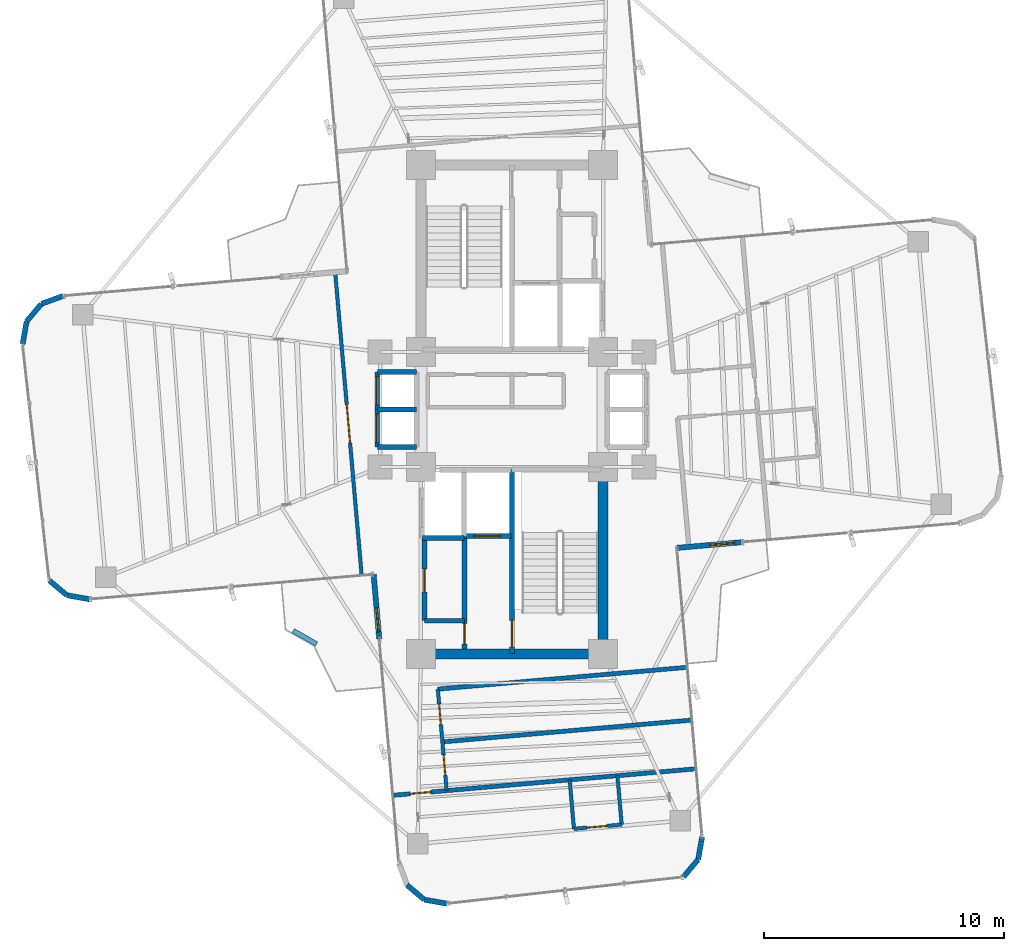
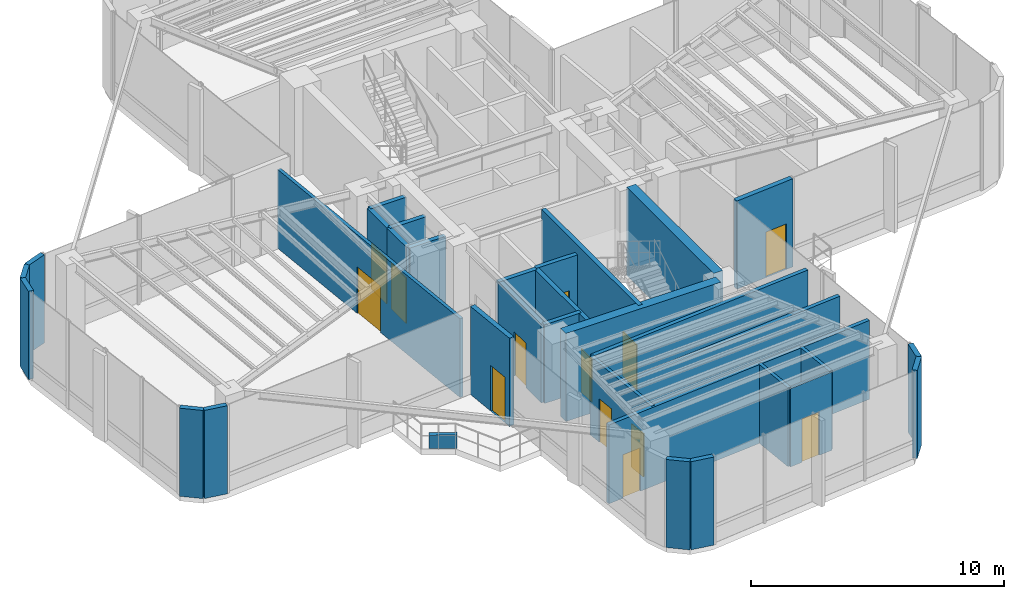
# One storey, part 16 of 19: 33 walls, 13 doors, 13 openings.
"""IFC4 building model written with IfcOpenShell, lengths in metres."""

from ifc_helpers import new_model, si_unit, direction, frame, frame_2d, origin, origin_2d, place, context, subcontext, project, spatial, rectangle, extrude, source, transform, mapped, material, layer, layer_set, type_object, element, fill, save


model = new_model("IFC4")

# Units and contexts
model_context = context("Model", 3, precision=1e-05, world=origin(), true_north=direction((0.0, 1.0)))
body_context = subcontext(model_context, "Body", "Model", "MODEL_VIEW")
ifc_project = project(units=[si_unit("LENGTHUNIT", "METRE"), si_unit("AREAUNIT", "SQUARE_METRE"), si_unit("VOLUMEUNIT", "CUBIC_METRE"), si_unit("PLANEANGLEUNIT", "RADIAN"), si_unit("MASSUNIT", "GRAM", prefix="KILO")], contexts=[model_context])

# Site, building, storey
site_placement = place(None, origin())
site = spatial("IfcSite", under=ifc_project, at=site_placement, CompositionType="ELEMENT")
building_placement = place(site_placement, origin())
building = spatial("IfcBuilding", under=site, at=building_placement, Name="Sahyath Konkavel Grand Hotel", CompositionType="ELEMENT")
storey_placement = place(building_placement, frame((0.0, 0.0, 170.699951171875)))
storey = spatial("IfcBuildingStorey", under=building, at=storey_placement, Name="L47", CompositionType="ELEMENT", Elevation=170.699951171875)

# Walls
ifc_material_1 = material(Name="Concrete C50/60", Category="concrete")
ifc_layer_1 = layer(ifc_material_1, 0.419921875)
ifc_layer_set_1 = layer_set([ifc_layer_1], Name="Concrete C50/60")
wall_type_1 = type_object("IfcWallType", Name="CWALL-420", PredefinedType="SHEAR", material=ifc_layer_set_1)
wall_1_placement = place(storey_placement, frame((-3.550048828125, -10.199951171875, 0.0), z_axis=(0.0, 0.0, 1.0), x_axis=(1.0, 0.0, 0.0)))
element("IfcWall", 1, at=wall_1_placement, inside=storey, type_object=wall_type_1, Name="L47 South Core Shear Wall S", PredefinedType="SHEAR", context=body_context, shape_type="SweptSolid", body=[
    extrude(rectangle(XDim=7.10009765625, YDim=0.419921875, at=frame_2d((3.550048828125, 0.0))), origin(), (0.0, 0.0, 1.0), 4.260009765625),
])
wall_2_placement = place(storey_placement, frame((3.800048828125, -9.75, 0.0), z_axis=(0.0, 0.0, 1.0), x_axis=(0.0, 1.0, 0.0)))
element("IfcWall", 2, at=wall_2_placement, inside=storey, type_object=wall_type_1, Name="L47 South Core Shear Wall E", PredefinedType="SHEAR", context=body_context, shape_type="SweptSolid", body=[
    extrude(rectangle(XDim=6.89990234375, YDim=0.419921875, at=frame_2d((3.449951171875, 0.0))), origin(), (0.0, 0.0, 1.0), 4.260009765625),
])

# Wall, opening, door
ifc_material_2 = material(Name="Warm Buff Sandstone Insulated Concrete C40/50", Category="masonry")
ifc_layer_2 = layer(ifc_material_2, 0.219970703125)
ifc_layer_set_2 = layer_set([ifc_layer_2], Name="Warm Buff Sandstone Insulated Concrete C40/50")
wall_type_2 = type_object("IfcWallType", Name="WLL-BALC-THRESH", PredefinedType="STANDARD", material=ifc_layer_set_2)
wall_3_placement = place(storey_placement, frame((6.87939453125, -5.7724609375, 0.0), z_axis=(0.0, 0.0, 1.0), x_axis=(0.996193619346, 0.087168071984, 0.0)))
wall_3 = element("IfcWall", 3, at=wall_3_placement, inside=storey, type_object=wall_type_2, Name="L47 Winter-Garden Threshold Wall 0", PredefinedType="STANDARD", context=body_context, shape_type="SweptSolid", body=[
    extrude(rectangle(XDim=2.699951171875, YDim=0.219970703125, at=frame_2d((1.35009765625, 0.0))), origin(), (0.0, 0.0, 1.0), 4.260009765625),
])
opening_1_placement = place(wall_3_placement, frame((1.39990234375, 0.0, 0.0)))
opening_1 = element("IfcOpeningElement", 4, at=opening_1_placement, cuts=wall_3, Name="Opening D-TR1", PredefinedType="OPENING", context=body_context, shape_type="SweptSolid", body=[
    extrude(rectangle(XDim=1.0, YDim=2.199951171875, at=frame_2d((0.5, 1.10009765625))), frame((0.0, 0.1201171875, 0.0), z_axis=(0.0, -1.0, 0.0), x_axis=(1.0, 0.0, 0.0)), (0.0, 0.0, 1.0), 0.239990234375),
])
ifc_material_3 = material(Name="Anodised Bronze Aluminium & Low-E Glazing", Category="aluminium")
door_type_1 = type_object("IfcDoorType", Name="DR-TERRACE-1000", OperationType="NOTDEFINED", PredefinedType="DOOR", material=ifc_material_3)
shared_shape_1 = source(origin(), body_context, "Body", "SweptSolid", [
    extrude(rectangle(XDim=1.0, YDim=0.050048828125, at=origin_2d()), origin(), (0.0, 0.0, 1.0), 2.199951171875),
])
door_1_placement = place(opening_1_placement, frame((0.5, 0.0, 0.0)))
door_1 = element("IfcDoor", 5, at=door_1_placement, inside=storey, type_object=door_type_1, Name="L47 Winter-Garden Terrace Door 0", OperationType="SINGLE_SWING_LEFT", OverallHeight=2.199951171875, OverallWidth=1.0, PredefinedType="DOOR", context=body_context, shape_type="MappedRepresentation", body=[
    mapped(shared_shape_1, transform((0.0, 0.0, 0.0), scale=1.0)),
])
fill(opening_1, door_1)

# Walls
wall_4_placement = place(storey_placement, frame((-18.73388671875, 4.735107421875, 0.0), z_axis=(0.0, 0.0, 1.0), x_axis=(-0.939741306239, -0.34188635151, 0.0)))
element("IfcWall", 6, at=wall_4_placement, inside=storey, type_object=wall_type_2, Name="L47 Rounded Corner Sandstone Pier 17", PredefinedType="STANDARD", context=body_context, shape_type="SweptSolid", body=[
    extrude(rectangle(XDim=0.95751953125, YDim=0.219970703125, at=frame_2d((0.478759765625, 0.0))), origin(), (0.0, 0.0, 1.0), 4.260009765625),
])
for number, where, z_axis, x_axis, name in (
    (7, (-19.6337890625, 4.40771484375, 0.0), (0.0, 0.0, 1.0), (-0.642863236823, -0.765980978054, 0.0), "L47 Rounded Corner Sandstone Pier 18"),
    (8, (-20.24951171875, 3.674072265625, 0.0), (0.0, 0.0, 1.0), (-0.173610811841, -0.984814340885, 0.0), "L47 Rounded Corner Sandstone Pier 19"),
):
    element("IfcWall", number, at=place(storey_placement, frame(where, z_axis=z_axis, x_axis=x_axis)), inside=storey, type_object=wall_type_2, Name=name, PredefinedType="STANDARD", context=body_context, shape_type="SweptSolid", body=[
        extrude(rectangle(XDim=0.957763671875, YDim=0.219970703125, at=frame_2d((0.47900390625, 0.0))), origin(), (0.0, 0.0, 1.0), 4.260009765625),
    ])
wall_5_placement = place(storey_placement, frame((-19.3037109375, -7.134521484375, 0.0), z_axis=(0.0, 0.0, 1.0), x_axis=(0.766001159887, -0.642839189107, 0.0)))
element("IfcWall", 9, at=wall_5_placement, inside=storey, type_object=wall_type_2, Name="L47 Rounded Corner Sandstone Pier 21", PredefinedType="STANDARD", context=body_context, shape_type="SweptSolid", body=[
    extrude(rectangle(XDim=0.95751953125, YDim=0.219970703125, at=frame_2d((0.478759765625, 0.0))), origin(), (0.0, 0.0, 1.0), 4.260009765625),
])
wall_6_placement = place(storey_placement, frame((-18.5703125, -7.75, 0.0), z_axis=(0.0, 0.0, 1.0), x_axis=(0.984770724397, -0.173858046606, 0.0)))
element("IfcWall", 10, at=wall_6_placement, inside=storey, type_object=wall_type_2, Name="L47 Rounded Corner Sandstone Pier 22", PredefinedType="STANDARD", context=body_context, shape_type="SweptSolid", body=[
    extrude(rectangle(XDim=0.957763671875, YDim=0.219970703125, at=frame_2d((0.47900390625, 0.0))), origin(), (0.0, 0.0, 1.0), 4.260009765625),
])

# Wall, opening, door
wall_7_placement = place(storey_placement, frame((-5.7724609375, -6.87939453125, 0.0), z_axis=(0.0, 0.0, 1.0), x_axis=(0.087168071984, -0.996193619346, 0.0)))
wall_7 = element("IfcWall", 11, at=wall_7_placement, inside=storey, type_object=wall_type_2, Name="L47 Winter-Garden Threshold Wall 24", PredefinedType="STANDARD", context=body_context, shape_type="SweptSolid", body=[
    extrude(rectangle(XDim=2.699951171875, YDim=0.219970703125, at=frame_2d((1.35009765625, 0.0))), origin(), (0.0, 0.0, 1.0), 4.260009765625),
])
opening_2_placement = place(wall_7_placement, frame((1.39990234375, 0.0, 0.0)))
opening_2 = element("IfcOpeningElement", 12, at=opening_2_placement, cuts=wall_7, Name="Opening D-TR1", PredefinedType="OPENING", context=body_context, shape_type="SweptSolid", body=[
    extrude(rectangle(XDim=1.0, YDim=2.199951171875, at=frame_2d((0.5, 1.10009765625))), frame((0.0, 0.1201171875, 0.0), z_axis=(0.0, -1.0, 0.0), x_axis=(1.0, 0.0, 0.0)), (0.0, 0.0, 1.0), 0.239990234375),
])
door_2_placement = place(opening_2_placement, frame((0.5, 0.0, 0.0)))
door_2 = element("IfcDoor", 13, at=door_2_placement, inside=storey, type_object=door_type_1, Name="L47 Winter-Garden Terrace Door 24", OperationType="SINGLE_SWING_LEFT", OverallHeight=2.199951171875, OverallWidth=1.0, PredefinedType="DOOR", context=body_context, shape_type="MappedRepresentation", body=[
    mapped(shared_shape_1, transform((0.0, 0.0, 0.0), scale=1.0)),
])
fill(opening_2, door_2)

# Walls
for number, where, z_axis, x_axis, name in (
    (14, (-4.390380859375, -19.8330078125, 0.0), (0.0, 0.0, 1.0), (0.765980978054, -0.642863236823, 0.0), "L47 Rounded Corner Sandstone Pier 26"),
    (15, (-3.65673828125, -20.44873046875, 0.0), (0.0, 0.0, 1.0), (0.984814340885, -0.173610811841, 0.0), "L47 Rounded Corner Sandstone Pier 27"),
):
    element("IfcWall", number, at=place(storey_placement, frame(where, z_axis=z_axis, x_axis=x_axis)), inside=storey, type_object=wall_type_2, Name=name, PredefinedType="STANDARD", context=body_context, shape_type="SweptSolid", body=[
        extrude(rectangle(XDim=0.957763671875, YDim=0.219970703125, at=frame_2d((0.47900390625, 0.0))), origin(), (0.0, 0.0, 1.0), 4.260009765625),
    ])
for number, where, z_axis, x_axis, name in (
    (16, (7.152099609375, -19.5029296875, 0.0), (0.0, 0.0, 1.0), (0.642713642115, 0.766106503196, 0.0), "L47 Rounded Corner Sandstone Pier 29"),
    (17, (7.767578125, -18.769287109375, 0.0), (0.0, 0.0, 1.0), (0.173654409999, 0.984806654064, 0.0), "L47 Rounded Corner Sandstone Pier 30"),
):
    element("IfcWall", number, at=place(storey_placement, frame(where, z_axis=z_axis, x_axis=x_axis)), inside=storey, type_object=wall_type_2, Name=name, PredefinedType="STANDARD", context=body_context, shape_type="SweptSolid", body=[
        extrude(rectangle(XDim=0.95751953125, YDim=0.219970703125, at=frame_2d((0.478759765625, 0.0))), origin(), (0.0, 0.0, 1.0), 4.260009765625),
    ])

# Wall, opening, door
ifc_material_4 = material(Name="Concrete C40/50", Category="concrete")
ifc_layer_3 = layer(ifc_material_4, 0.199951171875)
ifc_layer_set_3 = layer_set([ifc_layer_3], Name="Concrete C40/50")
wall_type_3 = type_object("IfcWallType", Name="WLL-CORE-200", PredefinedType="SOLIDWALL", material=ifc_layer_set_3)
wall_8_placement = place(storey_placement, frame((0.0, -10.179931640625, 0.0), z_axis=(0.0, 0.0, 1.0), x_axis=(0.0, 1.0, 0.0)))
wall_8 = element("IfcWall", 18, at=wall_8_placement, inside=storey, type_object=wall_type_3, Name="L47 Stair ST-2 Shaft Wall W", PredefinedType="SOLIDWALL", context=body_context, shape_type="SweptSolid", body=[
    extrude(rectangle(XDim=7.679931640625, YDim=0.199951171875, at=frame_2d((3.83984375, 0.0))), origin(), (0.0, 0.0, 1.0), 4.260009765625),
])
opening_3_placement = place(wall_8_placement, frame((0.280029296875, 0.0, 0.0)))
opening_3 = element("IfcOpeningElement", 19, at=opening_3_placement, cuts=wall_8, Name="Opening D-F12B", PredefinedType="OPENING", context=body_context, shape_type="SweptSolid", body=[
    extrude(rectangle(XDim=1.10009765625, YDim=2.14990234375, at=frame_2d((0.550048828125, 1.074951171875))), frame((0.0, 0.10986328125, 0.0), z_axis=(0.0, -1.0, 0.0), x_axis=(1.0, 0.0, 0.0)), (0.0, 0.0, 1.0), 0.219970703125),
])
ifc_material_5 = material(Name="Steel E350 Smokeproof Fire Door", Category="steel")
door_type_2 = type_object("IfcDoorType", Name="DR-FD120-1100", OperationType="NOTDEFINED", PredefinedType="DOOR", material=ifc_material_5)
shared_shape_2 = source(origin(), body_context, "Body", "SweptSolid", [
    extrude(rectangle(XDim=1.10009765625, YDim=0.050048828125, at=origin_2d()), origin(), (0.0, 0.0, 1.0), 2.14990234375),
])
door_3_placement = place(opening_3_placement, frame((0.550048828125, 0.0, 0.0)))
door_3 = element("IfcDoor", 20, at=door_3_placement, inside=storey, type_object=door_type_2, Name="L47 Stair ST-2 Fire Door", OperationType="SINGLE_SWING_RIGHT", OverallHeight=2.14990234375, OverallWidth=1.10009765625, PredefinedType="DOOR", context=body_context, shape_type="MappedRepresentation", body=[
    mapped(shared_shape_2, transform((0.0, 0.0, 0.0), scale=1.0)),
])
fill(opening_3, door_3)

wall_9_placement = place(storey_placement, frame((-1.97998046875, -9.97998046875, 0.0), z_axis=(0.0, 0.0, 1.0), x_axis=(0.0, 1.0, 0.0)))
wall_9 = element("IfcWall", 21, at=wall_9_placement, inside=storey, type_object=wall_type_3, Name="L47 South Firefighting Lobby Wall W", PredefinedType="SOLIDWALL", context=body_context, shape_type="SweptSolid", body=[
    extrude(rectangle(XDim=4.659912109375, YDim=0.199951171875, at=frame_2d((2.330078125, 0.0))), origin(), (0.0, 0.0, 1.0), 3.81005859375),
])
opening_4_placement = place(wall_9_placement, frame((0.199951171875, 0.0, 0.0)))
opening_4 = element("IfcOpeningElement", 22, at=opening_4_placement, cuts=wall_9, Name="Opening D-F12D", PredefinedType="OPENING", context=body_context, shape_type="SweptSolid", body=[
    extrude(rectangle(XDim=0.85009765625, YDim=2.10009765625, at=frame_2d((0.425048828125, 1.050048828125))), frame((0.0, 0.10986328125, 0.0), z_axis=(0.0, -1.0, 0.0), x_axis=(1.0, 0.0, 0.0)), (0.0, 0.0, 1.0), 0.219970703125),
])
ifc_material_6 = material(Name="Steel E350 Core Fire Door", Category="steel")
door_type_3 = type_object("IfcDoorType", Name="DR-FD120-850", OperationType="NOTDEFINED", PredefinedType="DOOR", material=ifc_material_6)
shared_shape_3 = source(origin(), body_context, "Body", "SweptSolid", [
    extrude(rectangle(XDim=0.85009765625, YDim=0.050048828125, at=origin_2d()), origin(), (0.0, 0.0, 1.0), 2.10009765625),
])
door_4_placement = place(opening_4_placement, frame((0.425048828125, 0.0, 0.0)))
door_4 = element("IfcDoor", 23, at=door_4_placement, inside=storey, type_object=door_type_3, Name="L47 South Firefighting Lobby Door", OperationType="SINGLE_SWING_RIGHT", OverallHeight=2.10009765625, OverallWidth=0.85009765625, PredefinedType="DOOR", context=body_context, shape_type="MappedRepresentation", body=[
    mapped(shared_shape_3, transform((0.0, 0.0, 0.0), scale=1.0)),
])
fill(opening_4, door_4)

wall_10_placement = place(storey_placement, frame((-1.97998046875, -5.280029296875, 0.0), z_axis=(0.0, 0.0, 1.0), x_axis=(1.0, 0.0, 0.0)))
wall_10 = element("IfcWall", 24, at=wall_10_placement, inside=storey, type_object=wall_type_3, Name="L47 Partition SH-FFL2-S", PredefinedType="SOLIDWALL", context=body_context, shape_type="SweptSolid", body=[
    extrude(rectangle(XDim=1.929931640625, YDim=0.199951171875, at=frame_2d((0.96484375, 0.0))), origin(), (0.0, 0.0, 1.0), 3.81005859375),
])
opening_5_placement = place(wall_10_placement, frame((0.39990234375, 0.0, 0.0)))
opening_5 = element("IfcOpeningElement", 25, at=opening_5_placement, cuts=wall_10, Name="Opening LD-11", PredefinedType="OPENING", context=body_context, shape_type="SweptSolid", body=[
    extrude(rectangle(XDim=1.10009765625, YDim=2.199951171875, at=frame_2d((0.550048828125, 1.10009765625))), frame((0.0, 0.10986328125, 0.0), z_axis=(0.0, -1.0, 0.0), x_axis=(1.0, 0.0, 0.0)), (0.0, 0.0, 1.0), 0.219970703125),
])
ifc_material_7 = material(Name="Bronze Lift Landing Door 1100")
door_type_4 = type_object("IfcDoorType", Name="DR-LIFT-1100", OperationType="DOUBLE_DOOR_SLIDING", PredefinedType="DOOR", material=ifc_material_7)
shared_shape_4 = source(origin(), body_context, "Body", "SweptSolid", [
    extrude(rectangle(XDim=1.10009765625, YDim=0.050048828125, at=origin_2d()), origin(), (0.0, 0.0, 1.0), 2.199951171875),
])
door_5_placement = place(opening_5_placement, frame((0.550048828125, 0.0, 0.0)))
door_5 = element("IfcDoor", 26, at=door_5_placement, inside=storey, type_object=door_type_4, Name="L47 Lift FFL-2 Landing Door", OperationType="DOUBLE_DOOR_SLIDING", OverallHeight=2.199951171875, OverallWidth=1.10009765625, PredefinedType="DOOR", context=body_context, shape_type="MappedRepresentation", body=[
    mapped(shared_shape_4, transform((0.0, 0.0, 0.0), scale=1.0)),
])
fill(opening_5, door_5)

# Walls
wall_11_placement = place(storey_placement, frame((-3.739990234375, -5.360107421875, 0.0), z_axis=(0.0, 0.0, 1.0), x_axis=(1.0, 0.0, 0.0)))
element("IfcWall", 27, at=wall_11_placement, inside=storey, type_object=wall_type_3, Name="L47 Partition SH-SVL2-S", PredefinedType="SOLIDWALL", context=body_context, shape_type="SweptSolid", body=[
    extrude(rectangle(XDim=1.739990234375, YDim=0.199951171875, at=frame_2d((0.8701171875, 0.0))), origin(), (0.0, 0.0, 1.0), 3.81005859375),
])
for number, where, z_axis, x_axis, name in (
    (28, (-5.6201171875, 1.56005859375, 0.0), (0.0, 0.0, 1.0), (1.0, 0.0, 0.0), "L47 Partition SH-SL12-N"),
    (29, (-5.6201171875, -1.56005859375, 0.0), (0.0, 0.0, 1.0), (1.0, 0.0, 0.0), "L47 Partition SH-SL12-S"),
    (30, (-5.6201171875, 0.0, 0.0), (0.0, 0.0, 1.0), (1.0, 0.0, 0.0), "L47 Partition SH-SL12-M"),
):
    element("IfcWall", number, at=place(storey_placement, frame(where, z_axis=z_axis, x_axis=x_axis)), inside=storey, type_object=wall_type_3, Name=name, PredefinedType="SOLIDWALL", context=body_context, shape_type="SweptSolid", body=[
        extrude(rectangle(XDim=1.64013671875, YDim=0.199951171875, at=frame_2d((0.820068359375, 0.0))), origin(), (0.0, 0.0, 1.0), 3.81005859375),
    ])

# Wall, opening, door
wall_12_placement = place(storey_placement, frame((-5.6201171875, 0.0, 0.0), z_axis=(0.0, 0.0, 1.0), x_axis=(0.0, 1.0, 0.0)))
wall_12 = element("IfcWall", 31, at=wall_12_placement, inside=storey, type_object=wall_type_3, Name="L47 Partition SH-SL1-W", PredefinedType="SOLIDWALL", context=body_context, shape_type="SweptSolid", body=[
    extrude(rectangle(XDim=1.56005859375, YDim=0.199951171875, at=frame_2d((0.780029296875, 0.0))), origin(), (0.0, 0.0, 1.0), 3.81005859375),
])
opening_6_placement = place(wall_12_placement, frame((0.179931640625, 0.0, 0.0)))
opening_6 = element("IfcOpeningElement", 32, at=opening_6_placement, cuts=wall_12, Name="Opening LD-12", PredefinedType="OPENING", context=body_context, shape_type="SweptSolid", body=[
    extrude(rectangle(XDim=1.199951171875, YDim=2.199951171875, at=frame_2d((0.60009765625, 1.10009765625))), frame((0.0, 0.10986328125, 0.0), z_axis=(0.0, -1.0, 0.0), x_axis=(1.0, 0.0, 0.0)), (0.0, 0.0, 1.0), 0.219970703125),
])
ifc_material_8 = material(Name="Stainless Steel Lift Landing Door 1200", Category="steel")
door_type_5 = type_object("IfcDoorType", Name="DR-LIFT-1200", OperationType="DOUBLE_DOOR_SLIDING", PredefinedType="DOOR", material=ifc_material_8)
shared_shape_5 = source(origin(), body_context, "Body", "SweptSolid", [
    extrude(rectangle(XDim=1.199951171875, YDim=0.050048828125, at=origin_2d()), origin(), (0.0, 0.0, 1.0), 2.199951171875),
])
door_6_placement = place(opening_6_placement, frame((0.60009765625, 0.0, 0.0)))
door_6 = element("IfcDoor", 33, at=door_6_placement, inside=storey, type_object=door_type_5, Name="L47 Express Shuttle SL-1 Landing Door", OperationType="DOUBLE_DOOR_SLIDING", OverallHeight=2.199951171875, OverallWidth=1.199951171875, PredefinedType="DOOR", context=body_context, shape_type="MappedRepresentation", body=[
    mapped(shared_shape_5, transform((0.0, 0.0, 0.0), scale=1.0)),
])
fill(opening_6, door_6)

wall_13_placement = place(storey_placement, frame((-5.6201171875, -1.56005859375, 0.0), z_axis=(0.0, 0.0, 1.0), x_axis=(0.0, 1.0, 0.0)))
wall_13 = element("IfcWall", 34, at=wall_13_placement, inside=storey, type_object=wall_type_3, Name="L47 Partition SH-SL2-W", PredefinedType="SOLIDWALL", context=body_context, shape_type="SweptSolid", body=[
    extrude(rectangle(XDim=1.56005859375, YDim=0.199951171875, at=frame_2d((0.780029296875, 0.0))), origin(), (0.0, 0.0, 1.0), 3.81005859375),
])
opening_7_placement = place(wall_13_placement, frame((0.179931640625, 0.0, 0.0)))
opening_7 = element("IfcOpeningElement", 35, at=opening_7_placement, cuts=wall_13, Name="Opening LD-12", PredefinedType="OPENING", context=body_context, shape_type="SweptSolid", body=[
    extrude(rectangle(XDim=1.199951171875, YDim=2.199951171875, at=frame_2d((0.60009765625, 1.10009765625))), frame((0.0, 0.10986328125, 0.0), z_axis=(0.0, -1.0, 0.0), x_axis=(1.0, 0.0, 0.0)), (0.0, 0.0, 1.0), 0.219970703125),
])
door_7_placement = place(opening_7_placement, frame((0.60009765625, 0.0, 0.0)))
door_7 = element("IfcDoor", 36, at=door_7_placement, inside=storey, type_object=door_type_5, Name="L47 Express Shuttle SL-2 Landing Door", OperationType="DOUBLE_DOOR_SLIDING", OverallHeight=2.199951171875, OverallWidth=1.199951171875, PredefinedType="DOOR", context=body_context, shape_type="MappedRepresentation", body=[
    mapped(shared_shape_5, transform((0.0, 0.0, 0.0), scale=1.0)),
])
fill(opening_7, door_7)

wall_14_placement = place(storey_placement, frame((-3.64990234375, -8.81005859375, 0.0), z_axis=(0.0, 0.0, 1.0), x_axis=(0.0, 1.0, 0.0)))
wall_14 = element("IfcWall", 37, at=wall_14_placement, inside=storey, type_object=wall_type_3, Name="L47 Reclaimed South Core Wall W", PredefinedType="SOLIDWALL", context=body_context, shape_type="SweptSolid", body=[
    extrude(rectangle(XDim=3.43017578125, YDim=0.199951171875, at=frame_2d((1.715087890625, 0.0))), origin(), (0.0, 0.0, 1.0), 3.81005859375),
])
opening_8_placement = place(wall_14_placement, frame((1.199951171875, 0.0, 0.0)))
opening_8 = element("IfcOpeningElement", 38, at=opening_8_placement, cuts=wall_14, Name="Opening D-AC95", PredefinedType="OPENING", context=body_context, shape_type="SweptSolid", body=[
    extrude(rectangle(XDim=0.949951171875, YDim=2.14990234375, at=frame_2d((0.47509765625, 1.074951171875))), frame((0.0, 0.10986328125, 0.0), z_axis=(0.0, -1.0, 0.0), x_axis=(1.0, 0.0, 0.0)), (0.0, 0.0, 1.0), 0.219970703125),
])
ifc_material_9 = material(Name="Accessible Washroom Timber Door", Category="wood")
door_type_6 = type_object("IfcDoorType", Name="DR-ACC-950", OperationType="NOTDEFINED", PredefinedType="DOOR", material=ifc_material_9)
shared_shape_6 = source(origin(), body_context, "Body", "SweptSolid", [
    extrude(rectangle(XDim=0.949951171875, YDim=0.050048828125, at=origin_2d()), origin(), (0.0, 0.0, 1.0), 2.14990234375),
])
door_8_placement = place(opening_8_placement, frame((0.47509765625, 0.0, 0.0)))
door_8 = element("IfcDoor", 39, at=door_8_placement, inside=storey, type_object=door_type_6, Name="L47 Door SC-REC1-D", OperationType="SINGLE_SWING_RIGHT", OverallHeight=2.14990234375, OverallWidth=0.949951171875, PredefinedType="DOOR", context=body_context, shape_type="MappedRepresentation", body=[
    mapped(shared_shape_6, transform((0.0, 0.0, 0.0), scale=1.0)),
])
fill(opening_8, door_8)

# Walls
wall_15_placement = place(storey_placement, frame((-3.64990234375, -8.81005859375, 0.0), z_axis=(0.0, 0.0, 1.0), x_axis=(1.0, 0.0, 0.0)))
element("IfcWall", 40, at=wall_15_placement, inside=storey, type_object=wall_type_3, Name="L47 Partition SC-REC-S", PredefinedType="SOLIDWALL", context=body_context, shape_type="SweptSolid", body=[
    extrude(rectangle(XDim=1.669921875, YDim=0.199951171875, at=frame_2d((0.8349609375, 0.0))), origin(), (0.0, 0.0, 1.0), 3.81005859375),
])
ifc_material_10 = material(Name="Twin-Stud Acoustic Gypsum Plasterboard Partition")
ifc_layer_4 = layer(ifc_material_10, 0.179931640625)
ifc_layer_set_4 = layer_set([ifc_layer_4], Name="Twin-Stud Acoustic Gypsum Plasterboard Partition")
wall_type_4 = type_object("IfcWallType", Name="WLL-DEMISE-180", PredefinedType="PARTITIONING", material=ifc_layer_set_4)
wall_16_placement = place(storey_placement, frame((-3.09521484375, -11.6640625, 0.0), z_axis=(0.0, 0.0, 1.0), x_axis=(0.996196061386, 0.087140158824, 0.0)))
element("IfcWall", 41, at=wall_16_placement, inside=storey, type_object=wall_type_4, Name="L47 Partition S-G6I", PredefinedType="PARTITIONING", context=body_context, shape_type="SweptSolid", body=[
    extrude(rectangle(XDim=10.39990234375, YDim=0.179931640625, at=frame_2d((5.199951171875, 0.0))), origin(), (0.0, 0.0, 1.0), 3.81005859375),
])
wall_17_placement = place(storey_placement, frame((-2.902587890625, -13.86572265625, 0.0), z_axis=(0.0, 0.0, 1.0), x_axis=(0.996194201607, 0.087161417409, 0.0)))
element("IfcWall", 42, at=wall_17_placement, inside=storey, type_object=wall_type_4, Name="L47 Partition S-SSL6-DEM", PredefinedType="PARTITIONING", context=body_context, shape_type="SweptSolid", body=[
    extrude(rectangle(XDim=10.400146484375, YDim=0.179931640625, at=frame_2d((5.2001953125, 0.0))), origin(), (0.0, 0.0, 1.0), 3.81005859375),
])

# Wall, opening, door
wall_18_placement = place(storey_placement, frame((-4.91650390625, -16.089599609375, 0.0), z_axis=(0.0, 0.0, 1.0), x_axis=(0.996196619285, 0.087133780622, 0.0)))
wall_18 = element("IfcWall", 43, at=wall_18_placement, inside=storey, type_object=wall_type_4, Name="L47 Partition S-STIP-END", PredefinedType="PARTITIONING", context=body_context, shape_type="SweptSolid", body=[
    extrude(rectangle(XDim=12.60009765625, YDim=0.179931640625, at=frame_2d((6.300048828125, 0.0))), origin(), (0.0, 0.0, 1.0), 3.81005859375),
])
opening_9_placement = place(wall_18_placement, frame((0.675048828125, 0.0, 0.0)))
opening_9 = element("IfcOpeningElement", 44, at=opening_9_placement, cuts=wall_18, Name="Opening D-F06D", PredefinedType="OPENING", context=body_context, shape_type="SweptSolid", body=[
    extrude(rectangle(XDim=0.85009765625, YDim=2.10009765625, at=frame_2d((0.425048828125, 1.050048828125))), frame((0.0, 0.10009765625, 0.0), z_axis=(0.0, -1.0, 0.0), x_axis=(1.0, 0.0, 0.0)), (0.0, 0.0, 1.0), 0.199951171875),
])
ifc_material_11 = material(Name="Fire-Rated Shaft Access Door")
door_type_7 = type_object("IfcDoorType", Name="DR-FD60-850", OperationType="NOTDEFINED", PredefinedType="DOOR", material=ifc_material_11)
door_9_placement = place(opening_9_placement, frame((0.425048828125, 0.0, 0.0)))
door_9 = element("IfcDoor", 45, at=door_9_placement, inside=storey, type_object=door_type_7, Name="L47 Door S-STIP-ED", OperationType="SINGLE_SWING_RIGHT", OverallHeight=2.10009765625, OverallWidth=0.85009765625, PredefinedType="DOOR", context=body_context, shape_type="MappedRepresentation", body=[
    mapped(shared_shape_3, transform((0.0, 0.0, 0.0), scale=1.0)),
])
fill(opening_9, door_9)

ifc_material_12 = material(Name="Fire-Rated Gypsum Plasterboard Partition")
ifc_layer_5 = layer(ifc_material_12, 0.14990234375)
ifc_layer_set_5 = layer_set([ifc_layer_5], Name="Fire-Rated Gypsum Plasterboard Partition")
wall_type_5 = type_object("IfcWallType", Name="WLL-PART-150", PredefinedType="PARTITIONING", material=ifc_layer_set_5)
wall_19_placement = place(storey_placement, frame((-7.373046875, 5.678955078125, 0.0), z_axis=(0.0, 0.0, 1.0), x_axis=(0.087154691724, -0.996194790044, 0.0)))
wall_19 = element("IfcWall", 46, at=wall_19_placement, inside=storey, type_object=wall_type_5, Name="L47 Partition W-SAL-IN", PredefinedType="PARTITIONING", context=body_context, shape_type="SweptSolid", body=[
    extrude(rectangle(XDim=12.599853515625, YDim=0.14990234375, at=frame_2d((6.2998046875, 0.0))), origin(), (0.0, 0.0, 1.0), 3.81005859375),
])
opening_10_placement = place(wall_19_placement, frame((5.5, 0.0, 0.0)))
opening_10 = element("IfcOpeningElement", 47, at=opening_10_placement, cuts=wall_19, Name="Opening D-DB16", PredefinedType="OPENING", context=body_context, shape_type="SweptSolid", body=[
    extrude(rectangle(XDim=1.60009765625, YDim=2.25, at=frame_2d((0.800048828125, 1.125))), frame((0.0, 0.0849609375, 0.0), z_axis=(0.0, -1.0, 0.0), x_axis=(1.0, 0.0, 0.0)), (0.0, 0.0, 1.0), 0.169921875),
])
ifc_material_13 = material(Name="Double Leaf Lounge Glazed Timber Door", Category="wood")
door_type_8 = type_object("IfcDoorType", Name="DR-DBL-1600", OperationType="DOUBLE_DOOR_SINGLE_SWING", PredefinedType="DOOR", material=ifc_material_13)
shared_shape_7 = source(origin(), body_context, "Body", "SweptSolid", [
    extrude(rectangle(XDim=1.60009765625, YDim=0.050048828125, at=origin_2d()), origin(), (0.0, 0.0, 1.0), 2.25),
])
door_10_placement = place(opening_10_placement, frame((0.800048828125, 0.0, 0.0)))
door_10 = element("IfcDoor", 48, at=door_10_placement, inside=storey, type_object=door_type_8, Name="L47 Door W-SAL-D", OperationType="DOUBLE_DOOR_SINGLE_SWING", OverallHeight=2.25, OverallWidth=1.60009765625, PredefinedType="DOOR", context=body_context, shape_type="MappedRepresentation", body=[
    mapped(shared_shape_7, transform((0.0, 0.0, 0.0), scale=1.0)),
])
fill(opening_10, door_10)

# Wall, openings, doors
wall_20_placement = place(storey_placement, frame((-3.09521484375, -11.6640625, 0.0), z_axis=(0.0, 0.0, 1.0), x_axis=(0.087142722004, -0.996195837173, 0.0)))
wall_20 = element("IfcWall", 49, at=wall_20_placement, inside=storey, type_object=wall_type_5, Name="L47 Partition S-G6W", PredefinedType="PARTITIONING", context=body_context, shape_type="SweptSolid", body=[
    extrude(rectangle(XDim=4.25, YDim=0.14990234375, at=frame_2d((2.125, 0.0))), origin(), (0.0, 0.0, 1.0), 3.81005859375),
])
opening_11_placement = place(wall_20_placement, frame((0.6298828125, 0.0, 0.0)))
opening_11 = element("IfcOpeningElement", 50, at=opening_11_placement, cuts=wall_20, Name="Opening D-F06D", PredefinedType="OPENING", context=body_context, shape_type="SweptSolid", body=[
    extrude(rectangle(XDim=0.85009765625, YDim=2.10009765625, at=frame_2d((0.425048828125, 1.050048828125))), frame((0.0, 0.0849609375, 0.0), z_axis=(0.0, -1.0, 0.0), x_axis=(1.0, 0.0, 0.0)), (0.0, 0.0, 1.0), 0.169921875),
])
opening_12_placement = place(wall_20_placement, frame((2.7548828125, 0.0, 0.0)))
opening_12 = element("IfcOpeningElement", 51, at=opening_12_placement, cuts=wall_20, Name="Opening D-F06D", PredefinedType="OPENING", context=body_context, shape_type="SweptSolid", body=[
    extrude(rectangle(XDim=0.85009765625, YDim=2.10009765625, at=frame_2d((0.425048828125, 1.050048828125))), frame((0.0, 0.0849609375, 0.0), z_axis=(0.0, -1.0, 0.0), x_axis=(1.0, 0.0, 0.0)), (0.0, 0.0, 1.0), 0.169921875),
])
door_11_placement = place(opening_11_placement, frame((0.425048828125, 0.0, 0.0)))
door_11 = element("IfcDoor", 52, at=door_11_placement, inside=storey, type_object=door_type_7, Name="L47 Door S-SSL6-D", OperationType="SINGLE_SWING_LEFT", OverallHeight=2.10009765625, OverallWidth=0.85009765625, PredefinedType="DOOR", context=body_context, shape_type="MappedRepresentation", body=[
    mapped(shared_shape_3, transform((0.0, 0.0, 0.0), scale=1.0)),
])
fill(opening_11, door_11)
door_12_placement = place(opening_12_placement, frame((0.425048828125, 0.0, 0.0)))
door_12 = element("IfcDoor", 53, at=door_12_placement, inside=storey, type_object=door_type_7, Name="L47 Door S-SD6-D", OperationType="SINGLE_SWING_RIGHT", OverallHeight=2.10009765625, OverallWidth=0.85009765625, PredefinedType="DOOR", context=body_context, shape_type="MappedRepresentation", body=[
    mapped(shared_shape_3, transform((0.0, 0.0, 0.0), scale=1.0)),
])
fill(opening_12, door_12)

# Walls
for number, where, z_axis, x_axis, name in (
    (54, (4.39794921875, -15.27490234375, 0.0), (0.0, 0.0, 1.0), (0.087184680235, -0.996192165966, 0.0), "L47 Partition S-STIP-BN"),
    (55, (2.405517578125, -15.44921875, 0.0), (0.0, 0.0, 1.0), (0.087184680235, -0.996192165966, 0.0), "L47 Partition S-STIP-BS"),
):
    element("IfcWall", number, at=place(storey_placement, frame(where, z_axis=z_axis, x_axis=x_axis)), inside=storey, type_object=wall_type_5, Name=name, PredefinedType="PARTITIONING", context=body_context, shape_type="SweptSolid", body=[
        extrude(rectangle(XDim=2.0498046875, YDim=0.14990234375, at=frame_2d((1.02490234375, 0.0))), origin(), (0.0, 0.0, 1.0), 3.81005859375),
    ])

# Wall, opening, door
wall_21_placement = place(storey_placement, frame((2.584228515625, -17.4912109375, 0.0), z_axis=(0.0, 0.0, 1.0), x_axis=(0.99619464492, 0.087156350505, 0.0)))
wall_21 = element("IfcWall", 56, at=wall_21_placement, inside=storey, type_object=wall_type_5, Name="L47 Partition S-STIP-BE", PredefinedType="PARTITIONING", context=body_context, shape_type="SweptSolid", body=[
    extrude(rectangle(XDim=2.0, YDim=0.14990234375, at=frame_2d((1.0, 0.0))), origin(), (0.0, 0.0, 1.0), 3.780029296875),
])
opening_13_placement = place(wall_21_placement, frame((0.550048828125, 0.0, 0.0)))
opening_13 = element("IfcOpeningElement", 57, at=opening_13_placement, cuts=wall_21, Name="Opening D-BT85", PredefinedType="OPENING", context=body_context, shape_type="SweptSolid", body=[
    extrude(rectangle(XDim=0.85009765625, YDim=2.10009765625, at=frame_2d((0.425048828125, 1.050048828125))), frame((0.0, 0.0849609375, 0.0), z_axis=(0.0, -1.0, 0.0), x_axis=(1.0, 0.0, 0.0)), (0.0, 0.0, 1.0), 0.169921875),
])
ifc_material_14 = material(Name="Moisture-Resistant Teak Bathroom Door")
door_type_9 = type_object("IfcDoorType", Name="DR-BATH-850", OperationType="NOTDEFINED", PredefinedType="DOOR", material=ifc_material_14)
door_13_placement = place(opening_13_placement, frame((0.425048828125, 0.0, 0.0)))
door_13 = element("IfcDoor", 58, at=door_13_placement, inside=storey, type_object=door_type_9, Name="L47 Door S-STIP-BD", OperationType="SINGLE_SWING_LEFT", OverallHeight=2.10009765625, OverallWidth=0.85009765625, PredefinedType="DOOR", context=body_context, shape_type="MappedRepresentation", body=[
    mapped(shared_shape_3, transform((0.0, 0.0, 0.0), scale=1.0)),
])
fill(opening_13, door_13)

# Wall
ifc_material_15 = material(Name="Warm Buff Sandstone Planter Wall", Category="masonry")
ifc_layer_6 = layer(ifc_material_15, 0.199951171875)
ifc_layer_set_6 = layer_set([ifc_layer_6], Name="Warm Buff Sandstone Planter Wall")
wall_type_6 = type_object("IfcWallType", Name="WLL-PLANTER-200", PredefinedType="PARAPET", material=ifc_layer_set_6)
wall_22_placement = place(storey_placement, frame((-9.128662109375, -9.22998046875, 0.0), z_axis=(0.0, 0.0, 1.0), x_axis=(0.870497588791, -0.492172680986, 0.0)))
element("IfcWall", 59, at=wall_22_placement, inside=storey, type_object=wall_type_6, Name="L47 Sky-Garden Stone Planter PLANTER SW", PredefinedType="PARAPET", context=body_context, shape_type="SweptSolid", body=[
    extrude(rectangle(XDim=1.115234375, YDim=0.199951171875, at=frame_2d((0.5576171875, 0.0))), origin(), (0.0, 0.0, 1.0), 0.650146484375),
])

save(model, "model.ifc")
